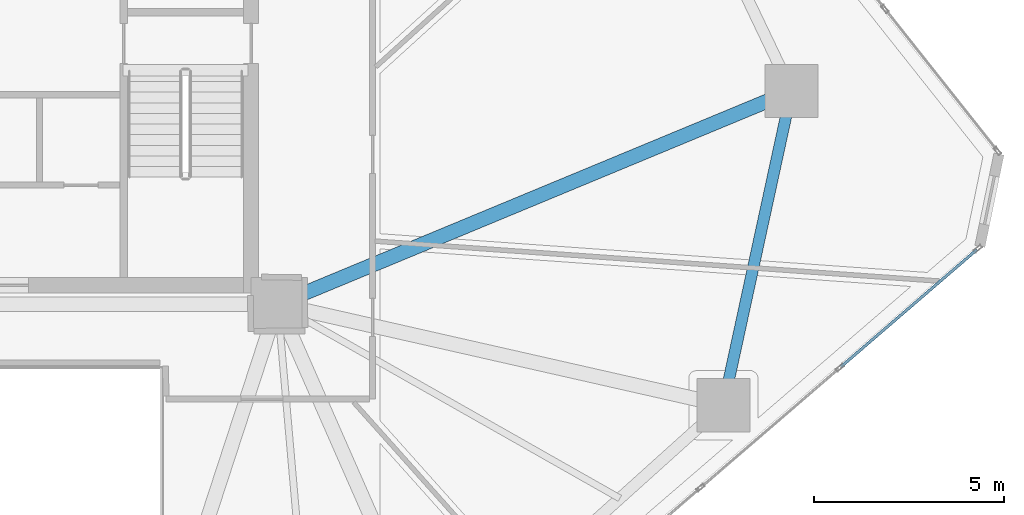
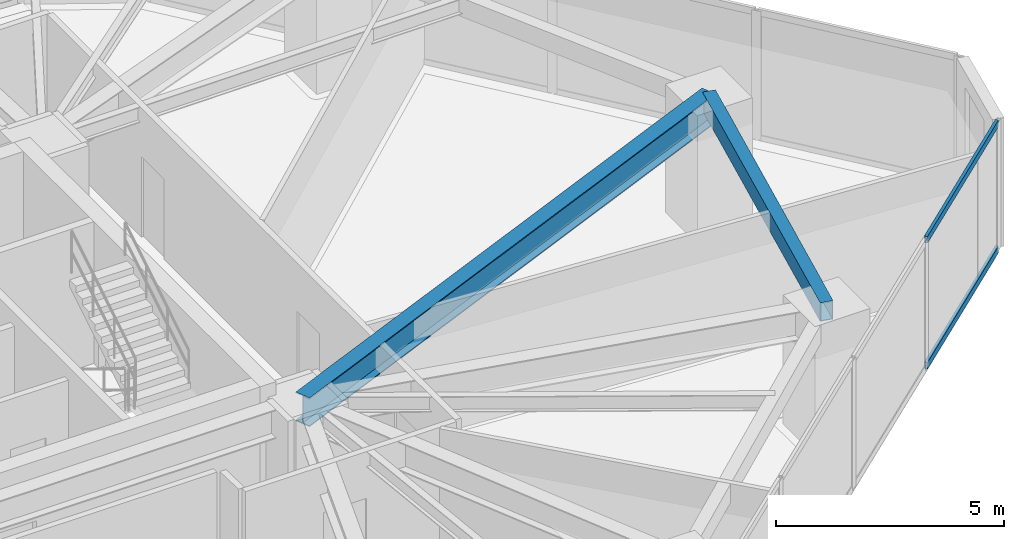
# One storey, part 11 of 24: 2 beams, 2 members, 1 element without a shape of its own.
"""IFC4 building model written with IfcOpenShell, lengths in metres."""

from ifc_helpers import new_model, si_unit, direction, frame, origin, origin_2d, place, context, subcontext, project, spatial, hollow_rectangle, i_section, extrude, source, transform, mapped, material, layer, layer_set, material_profile, profile_set, type_object, type_shapes, element, aggregate, save


model = new_model("IFC4")

# Units and contexts
model_context = context("Model", 3, precision=1e-05, world=origin(), true_north=direction((0.0, 1.0)))
body_context = subcontext(model_context, "Body", "Model", "MODEL_VIEW")
ifc_project = project(units=[si_unit("LENGTHUNIT", "METRE"), si_unit("AREAUNIT", "SQUARE_METRE"), si_unit("VOLUMEUNIT", "CUBIC_METRE"), si_unit("PLANEANGLEUNIT", "RADIAN"), si_unit("MASSUNIT", "GRAM", prefix="KILO")], contexts=[model_context])

# Site, building, storey
site_placement = place(None, origin())
site = spatial("IfcSite", under=ifc_project, at=site_placement, CompositionType="ELEMENT")
building_placement = place(site_placement, origin())
building = spatial("IfcBuilding", under=site, at=building_placement, Name="Talar Marvaseh", CompositionType="ELEMENT")
storey_placement = place(building_placement, frame((0.0, 0.0, 81.0)))
storey = spatial("IfcBuildingStorey", under=building, at=storey_placement, Name="L20", CompositionType="ELEMENT", Elevation=81.0)

# Beams
ifc_material_1 = material(Name="Steel S355", Category="steel")
ifc_material_profile_1 = material_profile(ifc_material_1, hollow_rectangle(XDim=0.300048828125, YDim=0.5, WallThickness=0.02001953125, at=origin_2d()), Name="RHS500x300x20")
ifc_profile_set_1 = profile_set([ifc_material_profile_1], Name="Steel S355")
beam_type_1 = type_object("IfcBeamType", Name="Zone 1 Perimeter Spandrel Beam RHS500x300x20", PredefinedType="SPANDREL", material=ifc_profile_set_1)
beam_1_placement = place(storey_placement, frame((46.841064453125, 31.118896484375, 3.199951171875), z_axis=(-0.212134113363, -0.977240562987, 0.0), x_axis=(0.977240562987, -0.212134113363, 0.0)))
element("IfcBeam", 1, at=beam_1_placement, inside=storey, type_object=beam_type_1, Name="L20 Zone 1 Perimeter Spandrel Beam RHS500x300x20", PredefinedType="SPANDREL", context=body_context, shape_type="SweptSolid", body=[
    extrude(hollow_rectangle(XDim=0.300048828125, YDim=0.5, WallThickness=0.02001953125, at=origin_2d()), origin(), (0.0, 0.0, 1.0), 8.4716796875),
])
ifc_material_profile_2 = material_profile(ifc_material_1, i_section(OverallWidth=0.381103515625, OverallDepth=0.77294921875, WebThickness=0.0166015625, FlangeThickness=0.027099609375, at=origin_2d()), Name="W760x257")
ifc_profile_set_2 = profile_set([ifc_material_profile_2], Name="Steel S355")
beam_type_2 = type_object("IfcBeamType", Name="Zone 1 Radial Floor Girder W760x257", PredefinedType="BEAM", material=ifc_profile_set_2)
beam_2_placement = place(storey_placement, frame((46.841064453125, 31.118896484375, 3.0634765625), z_axis=(-0.923637605375, -0.383266974753, 0.0), x_axis=(0.383266974753, -0.923637605375, 0.0)))
element("IfcBeam", 2, at=beam_2_placement, inside=storey, type_object=beam_type_2, Name="L20 Zone 1 Radial Floor Girder W760x257", PredefinedType="BEAM", context=body_context, shape_type="SweptSolid", body=[
    extrude(i_section(OverallWidth=0.381103515625, OverallDepth=0.77294921875, WebThickness=0.0166015625, FlangeThickness=0.027099609375, at=origin_2d()), origin(), (0.0, 0.0, 1.0), 14.66064453125),
])

# Curtain wall, members
ifc_material_2 = material(Name="Architectural Aluminium", Category="aluminium")
ifc_layer = layer(ifc_material_2, 0.219970703125)
ifc_layer_set = layer_set([ifc_layer], Name="Architectural Aluminium")
curtain_wall_type = type_object("IfcCurtainWallType", Name="Unitised Low-E Museum Curtain Wall Z1", PredefinedType="NOTDEFINED", material=ifc_layer_set)
curtain_wall_placement = place(storey_placement, origin())
curtain_wall = element("IfcCurtainWall", 3, at=curtain_wall_placement, inside=storey, type_object=curtain_wall_type, Name="L20 Unitised Low-E Museum Curtain Wall Z1", PredefinedType="NOTDEFINED")
ifc_material_profile_3 = material_profile(ifc_material_2, hollow_rectangle(XDim=0.074951171875, YDim=0.179931640625, WallThickness=0.0048828125, at=origin_2d()), Name="RHS180x75x5")
ifc_profile_set_3 = profile_set([ifc_material_profile_3], Name="Architectural Aluminium")
member_type = type_object("IfcMemberType", Name="Unitised Curtain Wall Transom RHS180x75x5", PredefinedType="USERDEFINED", material=ifc_profile_set_3)
shared_shape = source(origin(), body_context, "Body", "SweptSolid", [
    extrude(hollow_rectangle(XDim=0.074951171875, YDim=0.179931640625, WallThickness=0.0048828125, at=origin_2d()), origin(), (0.0, 0.0, 1.0), 4.725341796875),
])
type_shapes(member_type, [shared_shape])
member_1_placement = place(storey_placement, frame((51.7255859375, 26.93994140625, 0.03759765625), z_axis=(-0.757671575283, -0.652636027206, 0.0), x_axis=(0.652636027206, -0.757671575283, 0.0)))
member_1 = element("IfcMember", 4, at=member_1_placement, type_object=member_type, Name="CW-Z1 transom 1.1", ObjectType="TRANSOM", PredefinedType="USERDEFINED", context=body_context, shape_type="MappedRepresentation", body=[
    mapped(shared_shape, transform((0.0, 0.0, 0.0), x_axis=(1.0, 0.0, 0.0), y_axis=(0.0, 1.0, 0.0), z_axis=(0.0, 0.0, 1.0), scale=1.0)),
])
member_2_placement = place(storey_placement, frame((51.7255859375, 26.93994140625, 3.41259765625), z_axis=(-0.757671575283, -0.652636027206, 0.0), x_axis=(0.652636027206, -0.757671575283, 0.0)))
member_2 = element("IfcMember", 5, at=member_2_placement, type_object=member_type, Name="CW-Z1 transom 1.2", ObjectType="TRANSOM", PredefinedType="USERDEFINED", context=body_context, shape_type="MappedRepresentation", body=[
    mapped(shared_shape, transform((0.0, 0.0, 0.0), x_axis=(1.0, 0.0, 0.0), y_axis=(0.0, 1.0, 0.0), z_axis=(0.0, 0.0, 1.0), scale=1.0)),
])
aggregate(curtain_wall, [member_1, member_2])

save(model, "model.ifc")
